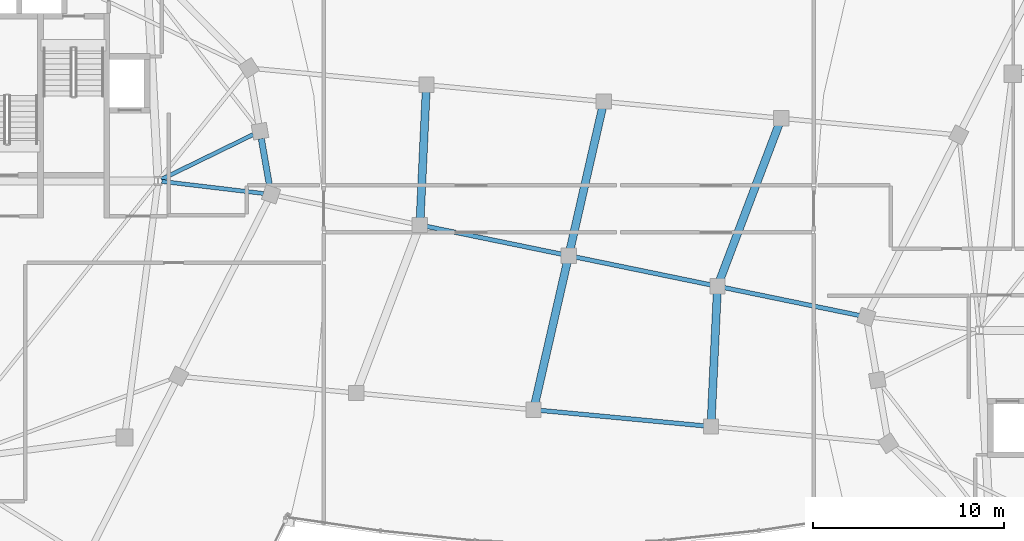
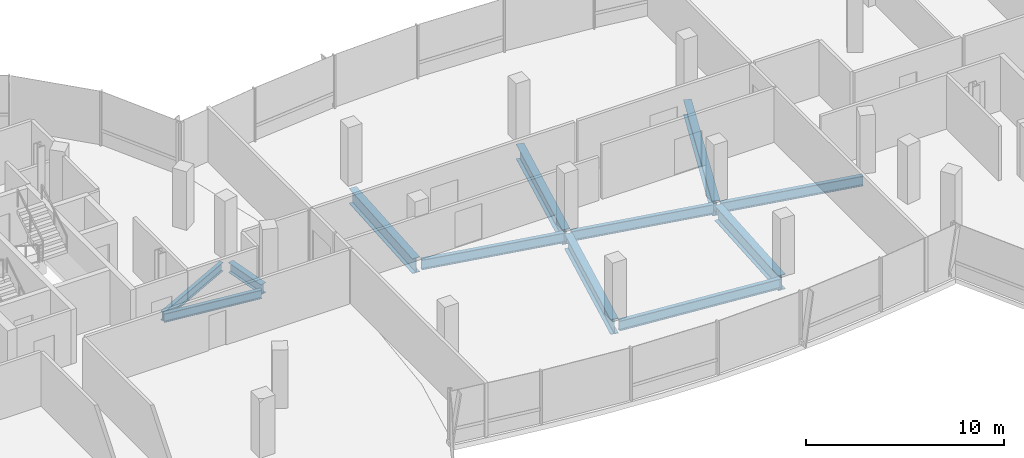
# One storey, part 5 of 24: 12 beams.
"""IFC4 building model written with IfcOpenShell, lengths in metres."""

from ifc_helpers import new_model, si_unit, direction, frame, origin, origin_2d, place, context, subcontext, project, spatial, i_section, extrude, material, material_profile, profile_set, type_object, element, save


model = new_model("IFC4")

# Units and contexts
model_context = context("Model", 3, precision=1e-05, world=origin(), true_north=direction((0.0, 1.0)))
body_context = subcontext(model_context, "Body", "Model", "MODEL_VIEW")
ifc_project = project(units=[si_unit("LENGTHUNIT", "METRE"), si_unit("AREAUNIT", "SQUARE_METRE"), si_unit("VOLUMEUNIT", "CUBIC_METRE"), si_unit("PLANEANGLEUNIT", "RADIAN"), si_unit("MASSUNIT", "GRAM", prefix="KILO"), si_unit("THERMODYNAMICTEMPERATUREUNIT", "KELVIN"), si_unit("POWERUNIT", "WATT")], contexts=[model_context])

# Site, building, storey
site_placement = place(None, origin())
site = spatial("IfcSite", under=ifc_project, at=site_placement, CompositionType="ELEMENT")
building_placement = place(site_placement, origin())
building = spatial("IfcBuilding", under=site, at=building_placement, Name="Cundina Bronze Exchange", CompositionType="ELEMENT")
storey_placement = place(building_placement, frame((0.0, 0.0, 268.39990234375)))
storey = spatial("IfcBuildingStorey", under=building, at=storey_placement, Name="L71", CompositionType="ELEMENT", Elevation=268.39990234375)

# Beams
ifc_material = material(Name="Steel ASTM A992 Grade 50", Category="steel")
ifc_material_profile_1 = material_profile(ifc_material, i_section(OverallWidth=0.2119140625, OverallDepth=0.5439453125, WebThickness=0.01318359375, FlangeThickness=0.021240234375, FilletRadius=0.013916015625, at=origin_2d()), Name="W21X83", Category="steel")
ifc_profile_set_1 = profile_set([ifc_material_profile_1], Name="Steel ASTM A992 Grade 50")
beam_type_1 = type_object("IfcBeamType", Name="BM-FLR-W21A", PredefinedType="BEAM", material=ifc_profile_set_1)
beam_1_placement = place(storey_placement, frame((-21.25537109375, 3.876953125, -0.531982421875), z_axis=(0.993031892142, -0.117845921393, 0.0), x_axis=(0.117845921393, 0.993031892142, 0.0)))
element("IfcBeam", 1, at=beam_1_placement, inside=storey, type_object=beam_type_1, Name="L71 Leg W Radial Floor Beam 00", PredefinedType="BEAM", context=body_context, shape_type="SweptSolid", body=[
    extrude(i_section(OverallWidth=0.2119140625, OverallDepth=0.5439453125, WebThickness=0.01318359375, FlangeThickness=0.021240234375, FilletRadius=0.013916015625, at=origin_2d()), origin(), (0.0, 0.0, 1.0), 5.357421875),
])
beam_2_placement = place(storey_placement, frame((-21.27392578125, 3.986083984375, -0.531982421875), z_axis=(0.898610260891, 0.438747762412, 0.0), x_axis=(-0.438747762412, 0.898610260891, 0.0)))
element("IfcBeam", 2, at=beam_2_placement, inside=storey, type_object=beam_type_1, Name="L71 Leg W Radial Floor Beam 01", PredefinedType="BEAM", context=body_context, shape_type="SweptSolid", body=[
    extrude(i_section(OverallWidth=0.2119140625, OverallDepth=0.5439453125, WebThickness=0.01318359375, FlangeThickness=0.021240234375, FilletRadius=0.013916015625, at=origin_2d()), origin(), (0.0, 0.0, 1.0), 5.341796875),
])
ifc_material_profile_2 = material_profile(ifc_material, i_section(OverallWidth=0.22998046875, OverallDepth=0.616943359375, WebThickness=0.01318359375, FlangeThickness=0.022216796875, FilletRadius=0.013916015625, at=origin_2d()), Name="W24X94", Category="steel")
ifc_profile_set_2 = profile_set([ifc_material_profile_2], Name="Steel ASTM A992 Grade 50")
beam_type_2 = type_object("IfcBeamType", Name="BM-FLR-W24B", PredefinedType="BEAM", material=ifc_profile_set_2)
beam_3_placement = place(storey_placement, frame((-1.658203125, -8.06689453125, -0.62841796875), z_axis=(0.995572136276, -0.094000646124, 0.0), x_axis=(0.094000646124, 0.995572136276, 0.0)))
element("IfcBeam", 3, at=beam_3_placement, inside=storey, type_object=beam_type_2, Name="L71 Sky-Gate Longitudinal Girder Y1-P3", PredefinedType="BEAM", context=body_context, shape_type="SweptSolid", body=[
    extrude(i_section(OverallWidth=0.22998046875, OverallDepth=0.616943359375, WebThickness=0.01318359375, FlangeThickness=0.022216796875, FilletRadius=0.013916015625, at=origin_2d()), origin(), (0.0, 0.0, 1.0), 8.949951171875),
])
for number, where, z_axis, x_axis, name in (
    (4, (-7.5986328125, 1.563720703125, -0.62841796875), (0.979477625294, -0.201552924934, 0.0), (0.201552924934, 0.979477625294, 0.0), "L71 Sky-Gate Longitudinal Girder Y2-P2"),
    (5, (0.17626953125, -0.036376953125, -0.62841796875), (0.979477625294, -0.201552924934, 0.0), (0.201552924934, 0.979477625294, 0.0), "L71 Sky-Gate Longitudinal Girder Y2-P3"),
    (6, (7.951416015625, -1.63623046875, -0.62841796875), (0.979471264571, -0.20158383338, 0.0), (0.20158383338, 0.979471264571, 0.0), "L71 Sky-Gate Longitudinal Girder Y2-P4"),
):
    element("IfcBeam", number, at=place(storey_placement, frame(where, z_axis=z_axis, x_axis=x_axis)), inside=storey, type_object=beam_type_2, Name=name, PredefinedType="BEAM", context=body_context, shape_type="SweptSolid", body=[
        extrude(i_section(OverallWidth=0.22998046875, OverallDepth=0.616943359375, WebThickness=0.01318359375, FlangeThickness=0.022216796875, FilletRadius=0.013916015625, at=origin_2d()), origin(), (0.0, 0.0, 1.0), 7.577880859375),
    ])
ifc_material_profile_3 = material_profile(ifc_material, i_section(OverallWidth=0.324951171875, OverallDepth=0.615966796875, WebThickness=0.013916015625, FlangeThickness=0.021484375, FilletRadius=0.01611328125, at=origin_2d()), Name="W24X117", Category="steel")
ifc_profile_set_3 = profile_set([ifc_material_profile_3], Name="Steel ASTM A992 Grade 50")
beam_type_3 = type_object("IfcBeamType", Name="BM-RING-W24", PredefinedType="USERDEFINED", material=ifc_profile_set_3)
beam_4_placement = place(storey_placement, frame((-15.61669921875, 3.582275390625, -0.56787109375), z_axis=(-0.171593362587, 0.985167862811, 0.0), x_axis=(-0.985167862811, -0.171593362587, 0.0)))
element("IfcBeam", 7, at=beam_4_placement, inside=storey, type_object=beam_type_3, Name="L71 W Perimeter Ring Girder 00", ObjectType="GIRDER", PredefinedType="USERDEFINED", context=body_context, shape_type="SweptSolid", body=[
    extrude(i_section(OverallWidth=0.324951171875, OverallDepth=0.615966796875, WebThickness=0.013916015625, FlangeThickness=0.021484375, FilletRadius=0.01611328125, at=origin_2d()), origin(), (0.0, 0.0, 1.0), 2.57373046875),
])
ifc_material_profile_4 = material_profile(ifc_material, i_section(OverallWidth=0.41796875, OverallDepth=0.927001953125, WebThickness=0.019287109375, FlangeThickness=0.031982421875, FilletRadius=0.02392578125, at=origin_2d()), Name="W36X231", Category="steel")
ifc_profile_set_4 = profile_set([ifc_material_profile_4], Name="Steel ASTM A992 Grade 50")
beam_type_4 = type_object("IfcBeamType", Name="BM-WRN-W36B", PredefinedType="USERDEFINED", material=ifc_profile_set_4)
beam_5_placement = place(storey_placement, frame((-7.7666015625, 1.77978515625, -0.783447265625), z_axis=(0.046881448177, 0.998900460415, 0.0), x_axis=(-0.998900460415, 0.046881448177, 0.0)))
element("IfcBeam", 8, at=beam_5_placement, inside=storey, type_object=beam_type_4, Name="L71 Sky-Gate Transverse Girder X1-N", ObjectType="GIRDER", PredefinedType="USERDEFINED", context=body_context, shape_type="SweptSolid", body=[
    extrude(i_section(OverallWidth=0.41796875, OverallDepth=0.927001953125, WebThickness=0.019287109375, FlangeThickness=0.031982421875, FilletRadius=0.02392578125, at=origin_2d()), origin(), (0.0, 0.0, 1.0), 6.972900390625),
])
for number, where, z_axis, x_axis, name in (
    (9, (-1.79736328125, -7.87451171875, -0.783447265625), (0.222530984599, 0.974925618134, 0.0), (-0.974925618134, 0.222530984599, 0.0), "L71 Sky-Gate Transverse Girder X2-S"),
    (10, (0.0400390625, 0.175537109375, -0.783447265625), (0.222530984599, 0.974925618134, 0.0), (-0.974925618134, 0.222530984599, 0.0), "L71 Sky-Gate Transverse Girder X2-N"),
):
    element("IfcBeam", number, at=place(storey_placement, frame(where, z_axis=z_axis, x_axis=x_axis)), inside=storey, type_object=beam_type_4, Name=name, ObjectType="GIRDER", PredefinedType="USERDEFINED", context=body_context, shape_type="SweptSolid", body=[
        extrude(i_section(OverallWidth=0.41796875, OverallDepth=0.927001953125, WebThickness=0.019287109375, FlangeThickness=0.031982421875, FilletRadius=0.02392578125, at=origin_2d()), origin(), (0.0, 0.0, 1.0), 7.89697265625),
    ])
beam_6_placement = place(storey_placement, frame((7.439697265625, -8.7451171875, -0.783447265625), z_axis=(0.046881448177, 0.998900460415, 0.0), x_axis=(-0.998900460415, 0.046881448177, 0.0)))
element("IfcBeam", 11, at=beam_6_placement, inside=storey, type_object=beam_type_4, Name="L71 Sky-Gate Transverse Girder X3-S", ObjectType="GIRDER", PredefinedType="USERDEFINED", context=body_context, shape_type="SweptSolid", body=[
    extrude(i_section(OverallWidth=0.41796875, OverallDepth=0.927001953125, WebThickness=0.019287109375, FlangeThickness=0.031982421875, FilletRadius=0.02392578125, at=origin_2d()), origin(), (0.0, 0.0, 1.0), 6.972900390625),
])
beam_7_placement = place(storey_placement, frame((7.8388671875, -1.431640625, -0.783447265625), z_axis=(0.354935532146, 0.934890778658, 0.0), x_axis=(-0.934890778658, 0.354935532146, 0.0)))
element("IfcBeam", 12, at=beam_7_placement, inside=storey, type_object=beam_type_4, Name="L71 Sky-Gate Transverse Girder X3-N", ObjectType="GIRDER", PredefinedType="USERDEFINED", context=body_context, shape_type="SweptSolid", body=[
    extrude(i_section(OverallWidth=0.41796875, OverallDepth=0.927001953125, WebThickness=0.019287109375, FlangeThickness=0.031982421875, FilletRadius=0.02392578125, at=origin_2d()), origin(), (0.0, 0.0, 1.0), 9.02587890625),
])

save(model, "model.ifc")
